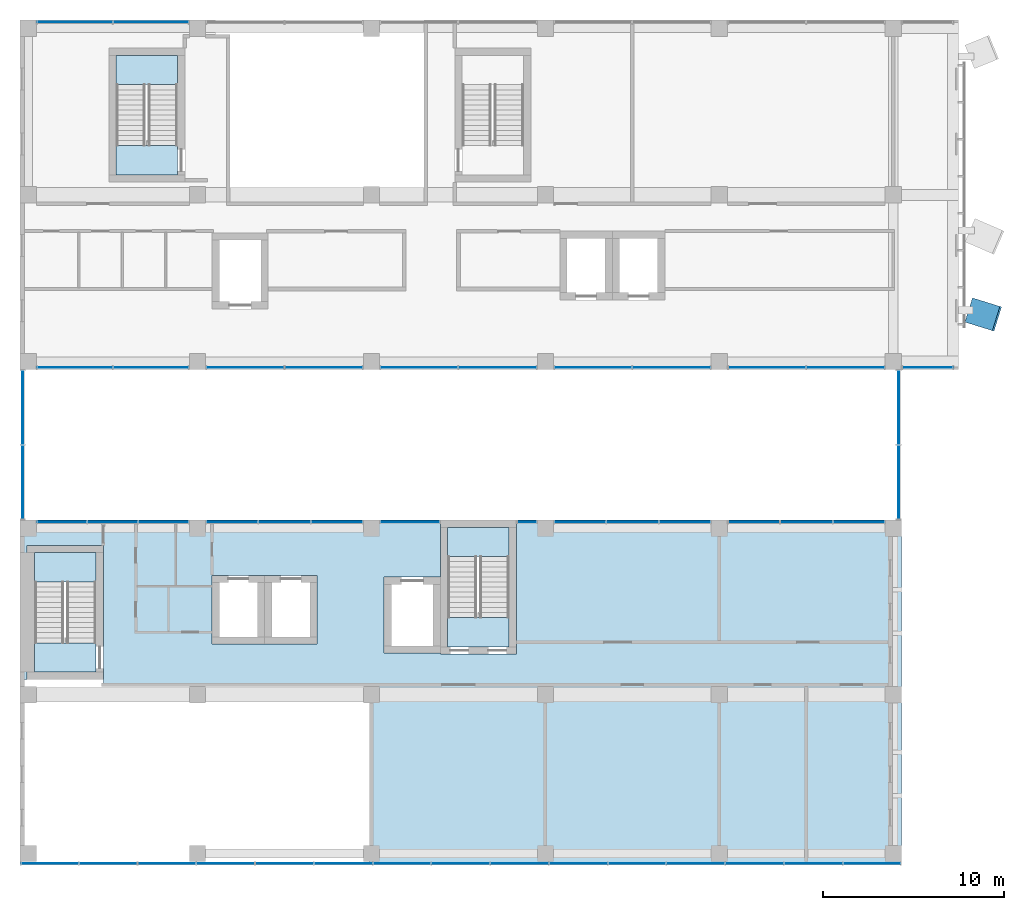
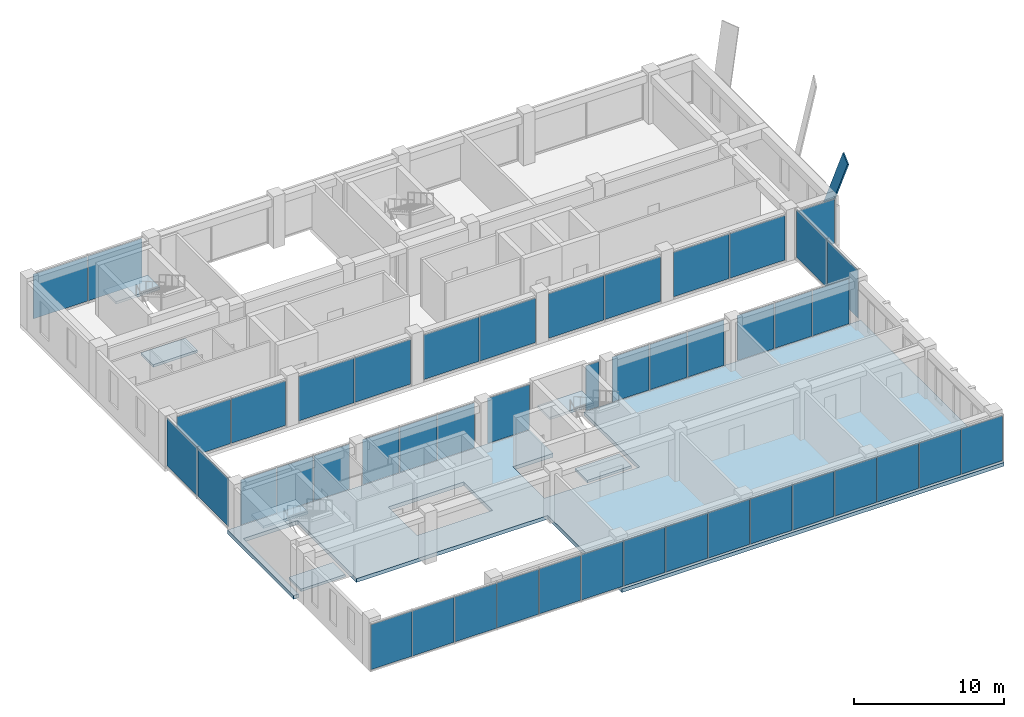
# One storey, part 26 of 37: 47 plates, 7 slabs, 19 elements without a shape of their own.
"""IFC4 building model written with IfcOpenShell, lengths in metres."""

from ifc_helpers import new_model, si_unit, direction, frame, origin, origin_2d, place, context, subcontext, project, spatial, polyline, rectangle, outline, extrude, material, layer, layer_set, material_profile, profile_set, type_object, element, aggregate, save


model = new_model("IFC4")

# Units and contexts
model_context = context("Model", 3, precision=1e-05, world=origin(), true_north=direction((0.0, 1.0)))
body_context = subcontext(model_context, "Body", "Model", "MODEL_VIEW")
ifc_project = project(units=[si_unit("LENGTHUNIT", "METRE"), si_unit("AREAUNIT", "SQUARE_METRE"), si_unit("VOLUMEUNIT", "CUBIC_METRE"), si_unit("PLANEANGLEUNIT", "RADIAN"), si_unit("MASSUNIT", "GRAM", prefix="KILO")], contexts=[model_context])

# Site, building, storey
site_placement = place(None, origin())
site = spatial("IfcSite", under=ifc_project, at=site_placement, CompositionType="ELEMENT")
building_placement = place(site_placement, origin())
building = spatial("IfcBuilding", under=site, at=building_placement, Name="Nzadi Deep Aquarium and Research Tower", CompositionType="ELEMENT")
storey_placement = place(building_placement, frame((0.0, 0.0, 61.300048828125)))
storey = spatial("IfcBuildingStorey", under=building, at=storey_placement, Name="L12", CompositionType="ELEMENT", Elevation=61.300048828125)

# Plate
ifc_material_1 = material(Name="Anodised aluminium, bright", Category="aluminium")
ifc_material_profile = material_profile(ifc_material_1, rectangle(XDim=1.39990234375, YDim=0.10009765625, at=origin_2d()))
ifc_profile_set = profile_set([ifc_material_profile], Name="Anodised aluminium, bright")
plate_type_1 = type_object("IfcPlateType", Name="Fold blade anodised aluminium 1400x100, 4.8 m", PredefinedType="SHEET", material=ifc_profile_set)
plate_1_placement = place(storey_placement, frame((52.208251953125, 30.429931640625, 0.016357421875), z_axis=(0.31555162746, -0.098266560969, 0.943806576266), x_axis=(0.297328463839, 0.954775253445, 0.0)))
element("IfcPlate", 1, at=plate_1_placement, inside=storey, type_object=plate_type_1, Name="FD020 fold blade EB L12", PredefinedType="SHEET", context=body_context, shape_type="SweptSolid", body=[
    extrude(rectangle(XDim=1.39990234375, YDim=0.10009765625, at=origin_2d()), origin(), (0.0, 0.0, 1.0), 4.800048828125),
])

# Curtain wall, plates
ifc_material_2 = material(Name="Aluminium unitised frame", Category="aluminium")
ifc_layer_1 = layer(ifc_material_2, 0.199951171875)
ifc_layer_set_1 = layer_set([ifc_layer_1], Name="Aluminium unitised frame")
curtain_wall_type_1 = type_object("IfcCurtainWallType", Name="Curtain wall Unitised 200", PredefinedType="NOTDEFINED", material=ifc_layer_set_1)
curtain_wall_1_placement = place(storey_placement, origin())
curtain_wall_1 = element("IfcCurtainWall", 2, at=curtain_wall_1_placement, inside=storey, type_object=curtain_wall_type_1, Name="Unitised curtain wall blade A south L12", PredefinedType="NOTDEFINED")
ifc_material_3 = material(Name="Glass, sage tint", Category="glass")
ifc_layer_2 = layer(ifc_material_3, 0.035888671875)
ifc_layer_set_2 = layer_set([ifc_layer_2], Name="Glass, sage tint")
plate_type_2 = type_object("IfcPlateType", Name="Glazing panel 36 Unitised", PredefinedType="CURTAIN_PANEL", material=ifc_layer_set_2)
plate_2_placement = place(storey_placement, frame((1.436767578125, -0.10009765625, 0.1201171875), z_axis=(0.0, 0.0, 1.0), x_axis=(1.0, 0.0, 0.0)))
plate_2 = element("IfcPlate", 3, at=plate_2_placement, type_object=plate_type_2, Name="CW050 panel 1.1", PredefinedType="CURTAIN_PANEL", context=body_context, shape_type="SweptSolid", body=[
    extrude(rectangle(XDim=3.1533203125, YDim=0.035888671875, at=origin_2d()), origin(), (0.0, 0.0, 1.0), 3.659912109375),
])
plate_3_placement = place(storey_placement, frame((4.6650390625, -0.10009765625, 0.1201171875), z_axis=(0.0, 0.0, 1.0), x_axis=(1.0, 0.0, 0.0)))
plate_3 = element("IfcPlate", 4, at=plate_3_placement, type_object=plate_type_2, Name="CW050 panel 2.1", PredefinedType="CURTAIN_PANEL", context=body_context, shape_type="SweptSolid", body=[
    extrude(rectangle(XDim=3.183349609375, YDim=0.035888671875, at=origin_2d()), origin(), (0.0, 0.0, 1.0), 3.659912109375),
])
plate_4_placement = place(storey_placement, frame((7.908447265625, -0.10009765625, 0.1201171875), z_axis=(0.0, 0.0, 1.0), x_axis=(1.0, 0.0, 0.0)))
plate_4 = element("IfcPlate", 5, at=plate_4_placement, type_object=plate_type_2, Name="CW050 panel 3.1", PredefinedType="CURTAIN_PANEL", context=body_context, shape_type="SweptSolid", body=[
    extrude(rectangle(XDim=3.183349609375, YDim=0.035888671875, at=origin_2d()), origin(), (0.0, 0.0, 1.0), 3.659912109375),
])
plate_5_placement = place(storey_placement, frame((11.151611328125, -0.10009765625, 0.1201171875), z_axis=(0.0, 0.0, 1.0), x_axis=(1.0, 0.0, 0.0)))
plate_5 = element("IfcPlate", 6, at=plate_5_placement, type_object=plate_type_2, Name="CW050 panel 4.1", PredefinedType="CURTAIN_PANEL", context=body_context, shape_type="SweptSolid", body=[
    extrude(rectangle(XDim=3.183349609375, YDim=0.035888671875, at=origin_2d()), origin(), (0.0, 0.0, 1.0), 3.659912109375),
])
plate_6_placement = place(storey_placement, frame((14.39501953125, -0.10009765625, 0.1201171875), z_axis=(0.0, 0.0, 1.0), x_axis=(1.0, 0.0, 0.0)))
plate_6 = element("IfcPlate", 7, at=plate_6_placement, type_object=plate_type_2, Name="CW050 panel 5.1", PredefinedType="CURTAIN_PANEL", context=body_context, shape_type="SweptSolid", body=[
    extrude(rectangle(XDim=3.183349609375, YDim=0.035888671875, at=origin_2d()), origin(), (0.0, 0.0, 1.0), 3.659912109375),
])
plate_7_placement = place(storey_placement, frame((17.638427734375, -0.10009765625, 0.1201171875), z_axis=(0.0, 0.0, 1.0), x_axis=(1.0, 0.0, 0.0)))
plate_7 = element("IfcPlate", 8, at=plate_7_placement, type_object=plate_type_2, Name="CW050 panel 6.1", PredefinedType="CURTAIN_PANEL", context=body_context, shape_type="SweptSolid", body=[
    extrude(rectangle(XDim=3.183349609375, YDim=0.035888671875, at=origin_2d()), origin(), (0.0, 0.0, 1.0), 3.659912109375),
])
plate_8_placement = place(storey_placement, frame((20.881591796875, -0.10009765625, 0.1201171875), z_axis=(0.0, 0.0, 1.0), x_axis=(1.0, 0.0, 0.0)))
plate_8 = element("IfcPlate", 9, at=plate_8_placement, type_object=plate_type_2, Name="CW050 panel 7.1", PredefinedType="CURTAIN_PANEL", context=body_context, shape_type="SweptSolid", body=[
    extrude(rectangle(XDim=3.183349609375, YDim=0.035888671875, at=origin_2d()), origin(), (0.0, 0.0, 1.0), 3.659912109375),
])
plate_9_placement = place(storey_placement, frame((24.125, -0.10009765625, 0.1201171875), z_axis=(0.0, 0.0, 1.0), x_axis=(1.0, 0.0, 0.0)))
plate_9 = element("IfcPlate", 10, at=plate_9_placement, type_object=plate_type_2, Name="CW050 panel 8.1", PredefinedType="CURTAIN_PANEL", context=body_context, shape_type="SweptSolid", body=[
    extrude(rectangle(XDim=3.183349609375, YDim=0.035888671875, at=origin_2d()), origin(), (0.0, 0.0, 1.0), 3.659912109375),
])
plate_10_placement = place(storey_placement, frame((27.368408203125, -0.10009765625, 0.1201171875), z_axis=(0.0, 0.0, 1.0), x_axis=(1.0, 0.0, 0.0)))
plate_10 = element("IfcPlate", 11, at=plate_10_placement, type_object=plate_type_2, Name="CW050 panel 9.1", PredefinedType="CURTAIN_PANEL", context=body_context, shape_type="SweptSolid", body=[
    extrude(rectangle(XDim=3.183349609375, YDim=0.035888671875, at=origin_2d()), origin(), (0.0, 0.0, 1.0), 3.659912109375),
])
plate_11_placement = place(storey_placement, frame((30.611572265625, -0.10009765625, 0.1201171875), z_axis=(0.0, 0.0, 1.0), x_axis=(1.0, 0.0, 0.0)))
plate_11 = element("IfcPlate", 12, at=plate_11_placement, type_object=plate_type_2, Name="CW050 panel 10.1", PredefinedType="CURTAIN_PANEL", context=body_context, shape_type="SweptSolid", body=[
    extrude(rectangle(XDim=3.183349609375, YDim=0.035888671875, at=origin_2d()), origin(), (0.0, 0.0, 1.0), 3.659912109375),
])
plate_12_placement = place(storey_placement, frame((33.85498046875, -0.10009765625, 0.1201171875), z_axis=(0.0, 0.0, 1.0), x_axis=(1.0, 0.0, 0.0)))
plate_12 = element("IfcPlate", 13, at=plate_12_placement, type_object=plate_type_2, Name="CW050 panel 11.1", PredefinedType="CURTAIN_PANEL", context=body_context, shape_type="SweptSolid", body=[
    extrude(rectangle(XDim=3.183349609375, YDim=0.035888671875, at=origin_2d()), origin(), (0.0, 0.0, 1.0), 3.659912109375),
])
plate_13_placement = place(storey_placement, frame((37.098388671875, -0.10009765625, 0.1201171875), z_axis=(0.0, 0.0, 1.0), x_axis=(1.0, 0.0, 0.0)))
plate_13 = element("IfcPlate", 14, at=plate_13_placement, type_object=plate_type_2, Name="CW050 panel 12.1", PredefinedType="CURTAIN_PANEL", context=body_context, shape_type="SweptSolid", body=[
    extrude(rectangle(XDim=3.183349609375, YDim=0.035888671875, at=origin_2d()), origin(), (0.0, 0.0, 1.0), 3.659912109375),
])
plate_14_placement = place(storey_placement, frame((40.341552734375, -0.10009765625, 0.1201171875), z_axis=(0.0, 0.0, 1.0), x_axis=(1.0, 0.0, 0.0)))
plate_14 = element("IfcPlate", 15, at=plate_14_placement, type_object=plate_type_2, Name="CW050 panel 13.1", PredefinedType="CURTAIN_PANEL", context=body_context, shape_type="SweptSolid", body=[
    extrude(rectangle(XDim=3.183349609375, YDim=0.035888671875, at=origin_2d()), origin(), (0.0, 0.0, 1.0), 3.659912109375),
])
plate_15_placement = place(storey_placement, frame((43.5849609375, -0.10009765625, 0.1201171875), z_axis=(0.0, 0.0, 1.0), x_axis=(1.0, 0.0, 0.0)))
plate_15 = element("IfcPlate", 16, at=plate_15_placement, type_object=plate_type_2, Name="CW050 panel 14.1", PredefinedType="CURTAIN_PANEL", context=body_context, shape_type="SweptSolid", body=[
    extrude(rectangle(XDim=3.183349609375, YDim=0.035888671875, at=origin_2d()), origin(), (0.0, 0.0, 1.0), 3.659912109375),
])
plate_16_placement = place(storey_placement, frame((46.813232421875, -0.10009765625, 0.1201171875), z_axis=(0.0, 0.0, 1.0), x_axis=(1.0, 0.0, 0.0)))
plate_16 = element("IfcPlate", 17, at=plate_16_placement, type_object=plate_type_2, Name="CW050 panel 15.1", PredefinedType="CURTAIN_PANEL", context=body_context, shape_type="SweptSolid", body=[
    extrude(rectangle(XDim=3.1533203125, YDim=0.035888671875, at=origin_2d()), origin(), (0.0, 0.0, 1.0), 3.659912109375),
])
aggregate(curtain_wall_1, [plate_2, plate_3, plate_4, plate_5, plate_6, plate_7, plate_8, plate_9, plate_10, plate_11, plate_12, plate_13, plate_14, plate_15, plate_16])

curtain_wall_2_placement = place(storey_placement, origin())
curtain_wall_2 = element("IfcCurtainWall", 18, at=curtain_wall_2_placement, inside=storey, type_object=curtain_wall_type_1, Name="Unitised curtain wall blade A north L12", PredefinedType="NOTDEFINED")
plate_17_placement = place(storey_placement, frame((2.123291015625, 18.75, 0.1201171875), z_axis=(0.0, 0.0, 1.0), x_axis=(1.0, 0.0, 0.0)))
plate_17 = element("IfcPlate", 19, at=plate_17_placement, type_object=plate_type_2, Name="CW051 panel 1.1", PredefinedType="CURTAIN_PANEL", context=body_context, shape_type="SweptSolid", body=[
    extrude(rectangle(XDim=2.7265625, YDim=0.035888671875, at=origin_2d()), origin(), (0.0, 0.0, 1.0), 3.659912109375),
])
plate_18_placement = place(storey_placement, frame((4.925048828125, 18.75, 0.1201171875), z_axis=(0.0, 0.0, 1.0), x_axis=(1.0, 0.0, 0.0)))
plate_18 = element("IfcPlate", 20, at=plate_18_placement, type_object=plate_type_2, Name="CW051 panel 2.1", PredefinedType="CURTAIN_PANEL", context=body_context, shape_type="SweptSolid", body=[
    extrude(rectangle(XDim=2.756591796875, YDim=0.035888671875, at=origin_2d()), origin(), (0.0, 0.0, 1.0), 3.659912109375),
])
plate_19_placement = place(storey_placement, frame((7.7265625, 18.75, 0.1201171875), z_axis=(0.0, 0.0, 1.0), x_axis=(1.0, 0.0, 0.0)))
plate_19 = element("IfcPlate", 21, at=plate_19_placement, type_object=plate_type_2, Name="CW051 panel 3.1", PredefinedType="CURTAIN_PANEL", context=body_context, shape_type="SweptSolid", body=[
    extrude(rectangle(XDim=2.7265625, YDim=0.035888671875, at=origin_2d()), origin(), (0.0, 0.0, 1.0), 3.659912109375),
])
aggregate(curtain_wall_2, [plate_17, plate_18, plate_19])

curtain_wall_3_placement = place(storey_placement, origin())
curtain_wall_3 = element("IfcCurtainWall", 22, at=curtain_wall_3_placement, inside=storey, type_object=curtain_wall_type_1, Name="Unitised curtain wall blade A north L12", PredefinedType="NOTDEFINED")
plate_20_placement = place(storey_placement, frame((11.514892578125, 18.75, 0.1201171875), z_axis=(0.0, 0.0, 1.0), x_axis=(1.0, 0.0, 0.0)))
plate_20 = element("IfcPlate", 23, at=plate_20_placement, type_object=plate_type_2, Name="CW052 panel 1.1", PredefinedType="CURTAIN_PANEL", context=body_context, shape_type="SweptSolid", body=[
    extrude(rectangle(XDim=2.81005859375, YDim=0.035888671875, at=origin_2d()), origin(), (0.0, 0.0, 1.0), 3.659912109375),
])
plate_21_placement = place(storey_placement, frame((14.39990234375, 18.75, 0.1201171875), z_axis=(0.0, 0.0, 1.0), x_axis=(1.0, 0.0, 0.0)))
plate_21 = element("IfcPlate", 24, at=plate_21_placement, type_object=plate_type_2, Name="CW052 panel 2.1", PredefinedType="CURTAIN_PANEL", context=body_context, shape_type="SweptSolid", body=[
    extrude(rectangle(XDim=2.840087890625, YDim=0.035888671875, at=origin_2d()), origin(), (0.0, 0.0, 1.0), 3.659912109375),
])
plate_22_placement = place(storey_placement, frame((17.284912109375, 18.75, 0.1201171875), z_axis=(0.0, 0.0, 1.0), x_axis=(1.0, 0.0, 0.0)))
plate_22 = element("IfcPlate", 25, at=plate_22_placement, type_object=plate_type_2, Name="CW052 panel 3.1", PredefinedType="CURTAIN_PANEL", context=body_context, shape_type="SweptSolid", body=[
    extrude(rectangle(XDim=2.81005859375, YDim=0.035888671875, at=origin_2d()), origin(), (0.0, 0.0, 1.0), 3.659912109375),
])
aggregate(curtain_wall_3, [plate_20, plate_21, plate_22])

# Curtain wall, plate
curtain_wall_4_placement = place(storey_placement, origin())
curtain_wall_4 = element("IfcCurtainWall", 26, at=curtain_wall_4_placement, inside=storey, type_object=curtain_wall_type_1, Name="Unitised curtain wall blade A north L12", PredefinedType="NOTDEFINED")
plate_23_placement = place(storey_placement, frame((21.324951171875, 18.75, 0.1201171875), z_axis=(0.0, 0.0, 1.0), x_axis=(1.0, 0.0, 0.0)))
plate_23 = element("IfcPlate", 27, at=plate_23_placement, type_object=plate_type_2, Name="CW053 panel 1.1", PredefinedType="CURTAIN_PANEL", context=body_context, shape_type="SweptSolid", body=[
    extrude(rectangle(XDim=3.22998046875, YDim=0.035888671875, at=origin_2d()), origin(), (0.0, 0.0, 1.0), 3.659912109375),
])
aggregate(curtain_wall_4, [plate_23])

curtain_wall_5_placement = place(storey_placement, origin())
curtain_wall_5 = element("IfcCurtainWall", 28, at=curtain_wall_5_placement, inside=storey, type_object=curtain_wall_type_1, Name="Unitised curtain wall blade A north L12", PredefinedType="NOTDEFINED")
plate_24_placement = place(storey_placement, frame((27.77490234375, 18.75, 0.1201171875), z_axis=(0.0, 0.0, 1.0), x_axis=(1.0, 0.0, 0.0)))
plate_24 = element("IfcPlate", 29, at=plate_24_placement, type_object=plate_type_2, Name="CW054 panel 1.1", PredefinedType="CURTAIN_PANEL", context=body_context, shape_type="SweptSolid", body=[
    extrude(rectangle(XDim=1.030029296875, YDim=0.035888671875, at=origin_2d()), origin(), (0.0, 0.0, 1.0), 3.659912109375),
])
aggregate(curtain_wall_5, [plate_24])

# Curtain wall, plates
curtain_wall_6_placement = place(storey_placement, origin())
curtain_wall_6 = element("IfcCurtainWall", 30, at=curtain_wall_6_placement, inside=storey, type_object=curtain_wall_type_1, Name="Unitised curtain wall blade A north L12", PredefinedType="NOTDEFINED")
plate_25_placement = place(storey_placement, frame((30.715087890625, 18.75, 0.1201171875), z_axis=(0.0, 0.0, 1.0), x_axis=(1.0, 0.0, 0.0)))
plate_25 = element("IfcPlate", 31, at=plate_25_placement, type_object=plate_type_2, Name="CW055 panel 1.1", PredefinedType="CURTAIN_PANEL", context=body_context, shape_type="SweptSolid", body=[
    extrude(rectangle(XDim=2.81005859375, YDim=0.035888671875, at=origin_2d()), origin(), (0.0, 0.0, 1.0), 3.659912109375),
])
plate_26_placement = place(storey_placement, frame((33.60009765625, 18.75, 0.1201171875), z_axis=(0.0, 0.0, 1.0), x_axis=(1.0, 0.0, 0.0)))
plate_26 = element("IfcPlate", 32, at=plate_26_placement, type_object=plate_type_2, Name="CW055 panel 2.1", PredefinedType="CURTAIN_PANEL", context=body_context, shape_type="SweptSolid", body=[
    extrude(rectangle(XDim=2.840087890625, YDim=0.035888671875, at=origin_2d()), origin(), (0.0, 0.0, 1.0), 3.659912109375),
])
plate_27_placement = place(storey_placement, frame((36.485107421875, 18.75, 0.1201171875), z_axis=(0.0, 0.0, 1.0), x_axis=(1.0, 0.0, 0.0)))
plate_27 = element("IfcPlate", 33, at=plate_27_placement, type_object=plate_type_2, Name="CW055 panel 3.1", PredefinedType="CURTAIN_PANEL", context=body_context, shape_type="SweptSolid", body=[
    extrude(rectangle(XDim=2.81005859375, YDim=0.035888671875, at=origin_2d()), origin(), (0.0, 0.0, 1.0), 3.659912109375),
])
aggregate(curtain_wall_6, [plate_25, plate_26, plate_27])

curtain_wall_7_placement = place(storey_placement, origin())
curtain_wall_7 = element("IfcCurtainWall", 34, at=curtain_wall_7_placement, inside=storey, type_object=curtain_wall_type_1, Name="Unitised curtain wall blade A north L12", PredefinedType="NOTDEFINED")
plate_28_placement = place(storey_placement, frame((40.31494140625, 18.75, 0.1201171875), z_axis=(0.0, 0.0, 1.0), x_axis=(1.0, 0.0, 0.0)))
plate_28 = element("IfcPlate", 35, at=plate_28_placement, type_object=plate_type_2, Name="CW056 panel 1.1", PredefinedType="CURTAIN_PANEL", context=body_context, shape_type="SweptSolid", body=[
    extrude(rectangle(XDim=2.81005859375, YDim=0.035888671875, at=origin_2d()), origin(), (0.0, 0.0, 1.0), 3.659912109375),
])
plate_29_placement = place(storey_placement, frame((43.199951171875, 18.75, 0.1201171875), z_axis=(0.0, 0.0, 1.0), x_axis=(1.0, 0.0, 0.0)))
plate_29 = element("IfcPlate", 36, at=plate_29_placement, type_object=plate_type_2, Name="CW056 panel 2.1", PredefinedType="CURTAIN_PANEL", context=body_context, shape_type="SweptSolid", body=[
    extrude(rectangle(XDim=2.840087890625, YDim=0.035888671875, at=origin_2d()), origin(), (0.0, 0.0, 1.0), 3.659912109375),
])
plate_30_placement = place(storey_placement, frame((46.0849609375, 18.75, 0.1201171875), z_axis=(0.0, 0.0, 1.0), x_axis=(1.0, 0.0, 0.0)))
plate_30 = element("IfcPlate", 37, at=plate_30_placement, type_object=plate_type_2, Name="CW056 panel 3.1", PredefinedType="CURTAIN_PANEL", context=body_context, shape_type="SweptSolid", body=[
    extrude(rectangle(XDim=2.81005859375, YDim=0.035888671875, at=origin_2d()), origin(), (0.0, 0.0, 1.0), 3.659912109375),
])
aggregate(curtain_wall_7, [plate_28, plate_29, plate_30])

ifc_material_4 = material(Name="Aluminium unitised frame deep", Category="aluminium")
ifc_layer_3 = layer(ifc_material_4, 0.22509765625)
ifc_layer_set_3 = layer_set([ifc_layer_3], Name="Aluminium unitised frame deep")
curtain_wall_type_2 = type_object("IfcCurtainWallType", Name="Curtain wall Unitised Deep 225", PredefinedType="NOTDEFINED", material=ifc_layer_set_3)
curtain_wall_8_placement = place(storey_placement, origin())
curtain_wall_8 = element("IfcCurtainWall", 38, at=curtain_wall_8_placement, inside=storey, type_object=curtain_wall_type_2, Name="Unitised curtain wall blade B south L12", PredefinedType="NOTDEFINED")
ifc_material_5 = material(Name="Glass, sage tint", Category="glass")
ifc_layer_4 = layer(ifc_material_5, 0.0400390625)
ifc_layer_set_4 = layer_set([ifc_layer_4], Name="Glass, sage tint")
plate_type_3 = type_object("IfcPlateType", Name="Glazing panel 40 Unitised Deep", PredefinedType="CURTAIN_PANEL", material=ifc_layer_set_4)
plate_31_placement = place(storey_placement, frame((2.827392578125, 27.262451171875, 0.139892578125), z_axis=(0.0, 0.0, 1.0), x_axis=(1.0, 0.0, 0.0)))
plate_31 = element("IfcPlate", 39, at=plate_31_placement, type_object=plate_type_3, Name="CW152 panel 1.1", PredefinedType="CURTAIN_PANEL", context=body_context, shape_type="SweptSolid", body=[
    extrude(rectangle(XDim=4.135009765625, YDim=0.0400390625, at=origin_2d()), origin(), (0.0, 0.0, 1.0), 3.6201171875),
])
plate_32_placement = place(storey_placement, frame((7.0224609375, 27.262451171875, 0.139892578125), z_axis=(0.0, 0.0, 1.0), x_axis=(1.0, 0.0, 0.0)))
plate_32 = element("IfcPlate", 40, at=plate_32_placement, type_object=plate_type_3, Name="CW152 panel 2.1", PredefinedType="CURTAIN_PANEL", context=body_context, shape_type="SweptSolid", body=[
    extrude(rectangle(XDim=4.135009765625, YDim=0.0400390625, at=origin_2d()), origin(), (0.0, 0.0, 1.0), 3.6201171875),
])
aggregate(curtain_wall_8, [plate_31, plate_32])

curtain_wall_9_placement = place(storey_placement, origin())
curtain_wall_9 = element("IfcCurtainWall", 41, at=curtain_wall_9_placement, inside=storey, type_object=curtain_wall_type_2, Name="Unitised curtain wall blade B south L12", PredefinedType="NOTDEFINED")
plate_33_placement = place(storey_placement, frame((12.239990234375, 27.262451171875, 0.139892578125), z_axis=(0.0, 0.0, 1.0), x_axis=(1.0, 0.0, 0.0)))
plate_33 = element("IfcPlate", 42, at=plate_33_placement, type_object=plate_type_3, Name="CW153 panel 1.1", PredefinedType="CURTAIN_PANEL", context=body_context, shape_type="SweptSolid", body=[
    extrude(rectangle(XDim=4.260009765625, YDim=0.0400390625, at=origin_2d()), origin(), (0.0, 0.0, 1.0), 3.6201171875),
])
plate_34_placement = place(storey_placement, frame((16.56005859375, 27.262451171875, 0.139892578125), z_axis=(0.0, 0.0, 1.0), x_axis=(1.0, 0.0, 0.0)))
plate_34 = element("IfcPlate", 43, at=plate_34_placement, type_object=plate_type_3, Name="CW153 panel 2.1", PredefinedType="CURTAIN_PANEL", context=body_context, shape_type="SweptSolid", body=[
    extrude(rectangle(XDim=4.260009765625, YDim=0.0400390625, at=origin_2d()), origin(), (0.0, 0.0, 1.0), 3.6201171875),
])
aggregate(curtain_wall_9, [plate_33, plate_34])

curtain_wall_10_placement = place(storey_placement, origin())
curtain_wall_10 = element("IfcCurtainWall", 44, at=curtain_wall_10_placement, inside=storey, type_object=curtain_wall_type_2, Name="Unitised curtain wall blade B south L12", PredefinedType="NOTDEFINED")
plate_35_placement = place(storey_placement, frame((21.840087890625, 27.262451171875, 0.139892578125), z_axis=(0.0, 0.0, 1.0), x_axis=(1.0, 0.0, 0.0)))
plate_35 = element("IfcPlate", 45, at=plate_35_placement, type_object=plate_type_3, Name="CW154 panel 1.1", PredefinedType="CURTAIN_PANEL", context=body_context, shape_type="SweptSolid", body=[
    extrude(rectangle(XDim=4.260009765625, YDim=0.0400390625, at=origin_2d()), origin(), (0.0, 0.0, 1.0), 3.6201171875),
])
plate_36_placement = place(storey_placement, frame((26.159912109375, 27.262451171875, 0.139892578125), z_axis=(0.0, 0.0, 1.0), x_axis=(1.0, 0.0, 0.0)))
plate_36 = element("IfcPlate", 46, at=plate_36_placement, type_object=plate_type_3, Name="CW154 panel 2.1", PredefinedType="CURTAIN_PANEL", context=body_context, shape_type="SweptSolid", body=[
    extrude(rectangle(XDim=4.260009765625, YDim=0.0400390625, at=origin_2d()), origin(), (0.0, 0.0, 1.0), 3.6201171875),
])
aggregate(curtain_wall_10, [plate_35, plate_36])

curtain_wall_11_placement = place(storey_placement, origin())
curtain_wall_11 = element("IfcCurtainWall", 47, at=curtain_wall_11_placement, inside=storey, type_object=curtain_wall_type_2, Name="Unitised curtain wall blade B south L12", PredefinedType="NOTDEFINED")
plate_37_placement = place(storey_placement, frame((31.43994140625, 27.262451171875, 0.139892578125), z_axis=(0.0, 0.0, 1.0), x_axis=(1.0, 0.0, 0.0)))
plate_37 = element("IfcPlate", 48, at=plate_37_placement, type_object=plate_type_3, Name="CW155 panel 1.1", PredefinedType="CURTAIN_PANEL", context=body_context, shape_type="SweptSolid", body=[
    extrude(rectangle(XDim=4.260009765625, YDim=0.0400390625, at=origin_2d()), origin(), (0.0, 0.0, 1.0), 3.6201171875),
])
plate_38_placement = place(storey_placement, frame((35.760009765625, 27.262451171875, 0.139892578125), z_axis=(0.0, 0.0, 1.0), x_axis=(1.0, 0.0, 0.0)))
plate_38 = element("IfcPlate", 49, at=plate_38_placement, type_object=plate_type_3, Name="CW155 panel 2.1", PredefinedType="CURTAIN_PANEL", context=body_context, shape_type="SweptSolid", body=[
    extrude(rectangle(XDim=4.260009765625, YDim=0.0400390625, at=origin_2d()), origin(), (0.0, 0.0, 1.0), 3.6201171875),
])
aggregate(curtain_wall_11, [plate_37, plate_38])

curtain_wall_12_placement = place(storey_placement, origin())
curtain_wall_12 = element("IfcCurtainWall", 50, at=curtain_wall_12_placement, inside=storey, type_object=curtain_wall_type_2, Name="Unitised curtain wall blade B south L12", PredefinedType="NOTDEFINED")
plate_39_placement = place(storey_placement, frame((41.0400390625, 27.262451171875, 0.139892578125), z_axis=(0.0, 0.0, 1.0), x_axis=(1.0, 0.0, 0.0)))
plate_39 = element("IfcPlate", 51, at=plate_39_placement, type_object=plate_type_3, Name="CW156 panel 1.1", PredefinedType="CURTAIN_PANEL", context=body_context, shape_type="SweptSolid", body=[
    extrude(rectangle(XDim=4.260009765625, YDim=0.0400390625, at=origin_2d()), origin(), (0.0, 0.0, 1.0), 3.6201171875),
])
plate_40_placement = place(storey_placement, frame((45.360107421875, 27.262451171875, 0.139892578125), z_axis=(0.0, 0.0, 1.0), x_axis=(1.0, 0.0, 0.0)))
plate_40 = element("IfcPlate", 52, at=plate_40_placement, type_object=plate_type_3, Name="CW156 panel 2.1", PredefinedType="CURTAIN_PANEL", context=body_context, shape_type="SweptSolid", body=[
    extrude(rectangle(XDim=4.260009765625, YDim=0.0400390625, at=origin_2d()), origin(), (0.0, 0.0, 1.0), 3.6201171875),
])
aggregate(curtain_wall_12, [plate_39, plate_40])

# Curtain wall, plate
curtain_wall_13_placement = place(storey_placement, origin())
curtain_wall_13 = element("IfcCurtainWall", 53, at=curtain_wall_13_placement, inside=storey, type_object=curtain_wall_type_2, Name="Unitised curtain wall blade B south L12", PredefinedType="NOTDEFINED")
plate_41_placement = place(storey_placement, frame((49.89990234375, 27.262451171875, 0.139892578125), z_axis=(0.0, 0.0, 1.0), x_axis=(1.0, 0.0, 0.0)))
plate_41 = element("IfcPlate", 54, at=plate_41_placement, type_object=plate_type_3, Name="CW157 panel 1.1", PredefinedType="CURTAIN_PANEL", context=body_context, shape_type="SweptSolid", body=[
    extrude(rectangle(XDim=2.780029296875, YDim=0.0400390625, at=origin_2d()), origin(), (0.0, 0.0, 1.0), 3.6201171875),
])
aggregate(curtain_wall_13, [plate_41])

# Curtain wall, plates
curtain_wall_14_placement = place(storey_placement, origin())
curtain_wall_14 = element("IfcCurtainWall", 55, at=curtain_wall_14_placement, inside=storey, type_object=curtain_wall_type_2, Name="Unitised curtain wall blade B north L12", PredefinedType="NOTDEFINED")
plate_42_placement = place(storey_placement, frame((2.827392578125, 46.33740234375, 0.139892578125), z_axis=(0.0, 0.0, 1.0), x_axis=(1.0, 0.0, 0.0)))
plate_42 = element("IfcPlate", 56, at=plate_42_placement, type_object=plate_type_3, Name="CW158 panel 1.1", PredefinedType="CURTAIN_PANEL", context=body_context, shape_type="SweptSolid", body=[
    extrude(rectangle(XDim=4.135009765625, YDim=0.0400390625, at=origin_2d()), origin(), (0.0, 0.0, 1.0), 3.6201171875),
])
plate_43_placement = place(storey_placement, frame((7.0224609375, 46.33740234375, 0.139892578125), z_axis=(0.0, 0.0, 1.0), x_axis=(1.0, 0.0, 0.0)))
plate_43 = element("IfcPlate", 57, at=plate_43_placement, type_object=plate_type_3, Name="CW158 panel 2.1", PredefinedType="CURTAIN_PANEL", context=body_context, shape_type="SweptSolid", body=[
    extrude(rectangle(XDim=4.135009765625, YDim=0.0400390625, at=origin_2d()), origin(), (0.0, 0.0, 1.0), 3.6201171875),
])
aggregate(curtain_wall_14, [plate_42, plate_43])

ifc_material_6 = material(Name="Aluminium unitised frame wind post", Category="aluminium")
ifc_layer_5 = layer(ifc_material_6, 0.300048828125)
ifc_layer_set_5 = layer_set([ifc_layer_5], Name="Aluminium unitised frame wind post")
curtain_wall_type_3 = type_object("IfcCurtainWallType", Name="Curtain wall Slot End 300", PredefinedType="NOTDEFINED", material=ifc_layer_set_5)
curtain_wall_15_placement = place(storey_placement, origin())
curtain_wall_15 = element("IfcCurtainWall", 58, at=curtain_wall_15_placement, inside=storey, type_object=curtain_wall_type_3, Name="Glazed slot end west L12", PredefinedType="NOTDEFINED")
ifc_material_7 = material(Name="Glass, sage tint", Category="glass")
ifc_layer_6 = layer(ifc_material_7, 0.0439453125)
ifc_layer_set_6 = layer_set([ifc_layer_6], Name="Glass, sage tint")
plate_type_4 = type_object("IfcPlateType", Name="Glazing panel 44 Slot End", PredefinedType="CURTAIN_PANEL", material=ifc_layer_set_6)
plate_44_placement = place(storey_placement, frame((-0.050048828125, 20.93994140625, 0.159912109375), z_axis=(0.0, 0.0, 1.0), x_axis=(0.0, 1.0, 0.0)))
plate_44 = element("IfcPlate", 59, at=plate_44_placement, type_object=plate_type_4, Name="CW215 panel 1.1", PredefinedType="CURTAIN_PANEL", context=body_context, shape_type="SweptSolid", body=[
    extrude(rectangle(XDim=4.06005859375, YDim=0.0439453125, at=origin_2d()), origin(), (0.0, 0.0, 1.0), 3.8798828125),
])
plate_45_placement = place(storey_placement, frame((-0.050048828125, 25.06005859375, 0.159912109375), z_axis=(0.0, 0.0, 1.0), x_axis=(0.0, 1.0, 0.0)))
plate_45 = element("IfcPlate", 60, at=plate_45_placement, type_object=plate_type_4, Name="CW215 panel 2.1", PredefinedType="CURTAIN_PANEL", context=body_context, shape_type="SweptSolid", body=[
    extrude(rectangle(XDim=4.06005859375, YDim=0.0439453125, at=origin_2d()), origin(), (0.0, 0.0, 1.0), 3.8798828125),
])
aggregate(curtain_wall_15, [plate_44, plate_45])

curtain_wall_16_placement = place(storey_placement, origin())
curtain_wall_16 = element("IfcCurtainWall", 61, at=curtain_wall_16_placement, inside=storey, type_object=curtain_wall_type_3, Name="Glazed slot end east L12", PredefinedType="NOTDEFINED")
plate_46_placement = place(storey_placement, frame((48.300048828125, 20.93994140625, 0.159912109375), z_axis=(0.0, 0.0, 1.0), x_axis=(0.0, 1.0, 0.0)))
plate_46 = element("IfcPlate", 62, at=plate_46_placement, type_object=plate_type_4, Name="CW216 panel 1.1", PredefinedType="CURTAIN_PANEL", context=body_context, shape_type="SweptSolid", body=[
    extrude(rectangle(XDim=4.06005859375, YDim=0.0439453125, at=origin_2d()), origin(), (0.0, 0.0, 1.0), 3.8798828125),
])
plate_47_placement = place(storey_placement, frame((48.300048828125, 25.06005859375, 0.159912109375), z_axis=(0.0, 0.0, 1.0), x_axis=(0.0, 1.0, 0.0)))
plate_47 = element("IfcPlate", 63, at=plate_47_placement, type_object=plate_type_4, Name="CW216 panel 2.1", PredefinedType="CURTAIN_PANEL", context=body_context, shape_type="SweptSolid", body=[
    extrude(rectangle(XDim=4.06005859375, YDim=0.0439453125, at=origin_2d()), origin(), (0.0, 0.0, 1.0), 3.8798828125),
])
aggregate(curtain_wall_16, [plate_46, plate_47])

# Stair, slabs
ifc_material_8 = material(Name="Concrete C35/45", Category="concrete")
stair_type = type_object("IfcStairType", Name="STAIR RETURN 3000", PredefinedType="NOTDEFINED", material=ifc_material_8)
stair_1_placement = place(storey_placement, origin())
stair_1 = element("IfcStair", 64, at=stair_1_placement, inside=storey, type_object=stair_type, Name="Stair ST-Z1-SW L12", PredefinedType="HALF_TURN_STAIR")
ifc_material_9 = material(Name="Concrete C35/45", Category="concrete")
ifc_layer_7 = layer(ifc_material_9, 0.199951171875)
ifc_layer_set_7 = layer_set([ifc_layer_7], Name="Concrete C35/45")
slab_type_1 = type_object("IfcSlabType", Name="LANDING 200", PredefinedType="LANDING", material=ifc_layer_set_7)
slab_1_placement = place(storey_placement, frame((0.0, 0.0, -0.199951171875)))
slab_1 = element("IfcSlab", 65, at=slab_1_placement, type_object=slab_type_1, Name="ST-Z1-SW landing 1", PredefinedType="LANDING", context=body_context, shape_type="SweptSolid", body=[
    extrude(outline(polyline([(0.60009765625, 10.449951171875), (4.0, 10.449951171875), (4.0, 12.070068359375), (0.60009765625, 12.070068359375), (0.60009765625, 10.449951171875)])), origin(), (0.0, 0.0, 1.0), 0.199951171875),
])
slab_2_placement = place(storey_placement, frame((0.0, 0.0, 1.89990234375)))
slab_2 = element("IfcSlab", 66, at=slab_2_placement, type_object=slab_type_1, Name="ST-Z1-SW landing 2", PredefinedType="LANDING", context=body_context, shape_type="SweptSolid", body=[
    extrude(outline(polyline([(0.60009765625, 15.429931640625), (4.0, 15.429931640625), (4.0, 17.050048828125), (0.60009765625, 17.050048828125), (0.60009765625, 15.429931640625)])), origin(), (0.0, 0.0, 1.0), 0.199951171875),
])
aggregate(stair_1, [slab_1, slab_2])

stair_2_placement = place(storey_placement, origin())
stair_2 = element("IfcStair", 67, at=stair_2_placement, inside=storey, type_object=stair_type, Name="Stair ST-Z1-SE L12", PredefinedType="HALF_TURN_STAIR")
slab_3_placement = place(storey_placement, frame((0.0, 0.0, -0.199951171875)))
slab_3 = element("IfcSlab", 68, at=slab_3_placement, type_object=slab_type_1, Name="ST-Z1-SE landing 1", PredefinedType="LANDING", context=body_context, shape_type="SweptSolid", body=[
    extrude(outline(polyline([(23.39990234375, 11.85009765625), (26.800048828125, 11.85009765625), (26.800048828125, 13.469970703125), (23.39990234375, 13.469970703125), (23.39990234375, 11.85009765625)])), origin(), (0.0, 0.0, 1.0), 0.199951171875),
])
slab_4_placement = place(storey_placement, frame((0.0, 0.0, 1.89990234375)))
slab_4 = element("IfcSlab", 69, at=slab_4_placement, type_object=slab_type_1, Name="ST-Z1-SE landing 2", PredefinedType="LANDING", context=body_context, shape_type="SweptSolid", body=[
    extrude(outline(polyline([(23.39990234375, 16.830078125), (26.800048828125, 16.830078125), (26.800048828125, 18.449951171875), (23.39990234375, 18.449951171875), (23.39990234375, 16.830078125)])), origin(), (0.0, 0.0, 1.0), 0.199951171875),
])
aggregate(stair_2, [slab_3, slab_4])

stair_3_placement = place(storey_placement, origin())
stair_3 = element("IfcStair", 70, at=stair_3_placement, inside=storey, type_object=stair_type, Name="Stair ST-Z1-NW L12", PredefinedType="HALF_TURN_STAIR")
slab_5_placement = place(storey_placement, frame((0.0, 0.0, -0.199951171875)))
slab_5 = element("IfcSlab", 71, at=slab_5_placement, type_object=slab_type_1, Name="ST-Z1-NW landing 1", PredefinedType="LANDING", context=body_context, shape_type="SweptSolid", body=[
    extrude(outline(polyline([(5.10009765625, 37.89990234375), (8.5, 37.89990234375), (8.5, 39.52001953125), (5.10009765625, 39.52001953125), (5.10009765625, 37.89990234375)])), origin(), (0.0, 0.0, 1.0), 0.199951171875),
])
slab_6_placement = place(storey_placement, frame((0.0, 0.0, 1.89990234375)))
slab_6 = element("IfcSlab", 72, at=slab_6_placement, type_object=slab_type_1, Name="ST-Z1-NW landing 2", PredefinedType="LANDING", context=body_context, shape_type="SweptSolid", body=[
    extrude(outline(polyline([(5.10009765625, 42.8798828125), (8.5, 42.8798828125), (8.5, 44.5), (5.10009765625, 44.5), (5.10009765625, 42.8798828125)])), origin(), (0.0, 0.0, 1.0), 0.199951171875),
])
aggregate(stair_3, [slab_5, slab_6])

# Slab
ifc_material_10 = material(Name="Concrete C35/45", Category="concrete")
ifc_layer_8 = layer(ifc_material_10, 0.300048828125)
ifc_layer_set_8 = layer_set([ifc_layer_8], Name="Concrete C35/45")
slab_type_2 = type_object("IfcSlabType", Name="RC floor slab 300", PredefinedType="FLOOR", material=ifc_layer_set_8)
slab_7_placement = place(storey_placement, frame((0.0, 0.0, -0.300048828125)))
element("IfcSlab", 73, at=slab_7_placement, inside=storey, type_object=slab_type_2, Name="Tower floor A L12", PredefinedType="FLOOR", context=body_context, shape_type="SweptSolid", body=[
    extrude(outline(polyline([(27.199951171875, 18.85009765625), (27.199951171875, 11.449951171875), (23.0, 11.449951171875), (23.0, 11.5), (19.89990234375, 11.5), (19.89990234375, 15.699951171875), (23.0, 15.699951171875), (23.0, 18.85009765625), (-0.199462890625, 18.85009765625), (-0.199462890625, 10.050048828125), (0.199951171875, 10.050048828125), (0.199951171875, 17.449951171875), (4.39990234375, 17.449951171875), (4.39990234375, 10.050048828125), (4.39990234375, 9.64990234375), (19.10009765625, 9.64990234375), (19.10009765625, -0.199951171875), (48.449951171875, -0.199951171875), (48.449951171875, 18.85009765625), (27.199951171875, 18.85009765625)]), holes=[polyline([(13.300048828125, 12.0), (10.39990234375, 12.0), (10.39990234375, 15.800048828125), (13.300048828125, 15.800048828125), (16.199951171875, 15.800048828125), (16.199951171875, 12.0), (13.300048828125, 12.0)])]), origin(), (0.0, 0.0, 1.0), 0.300048828125),
])

save(model, "model.ifc")
